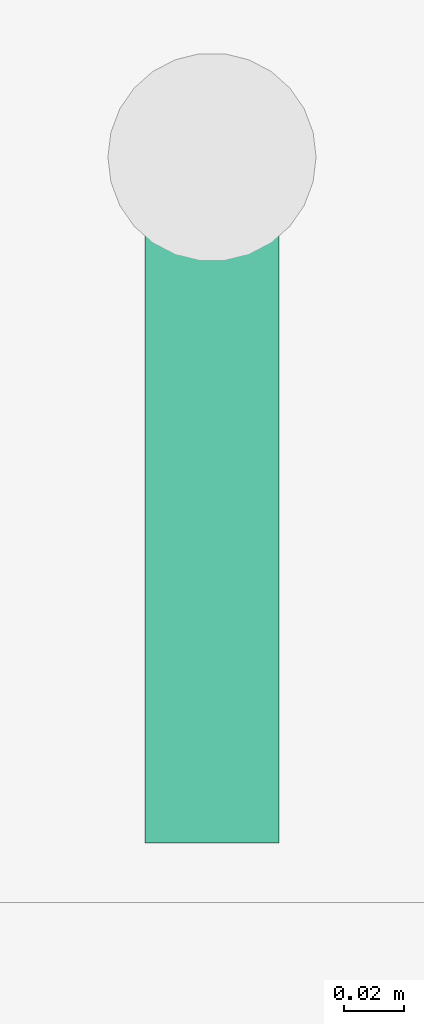
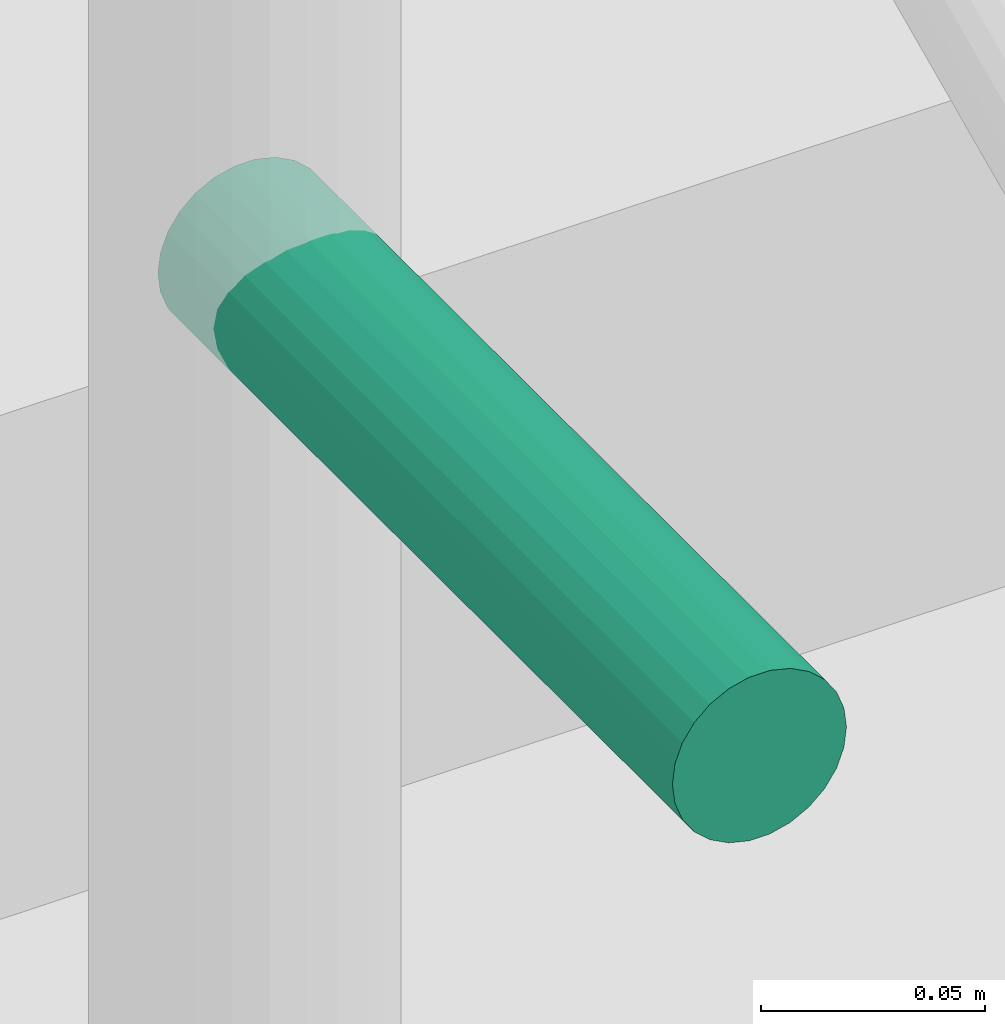
# One storey, part 30 of 33: 1 pipe fitting.
"""IFC4 building model written with IfcOpenShell, lengths in metres."""

from ifc_helpers import new_model, si_unit, direction, frame, origin, origin_2d, place, context, subcontext, project, spatial, circle, extrude, element, save


model = new_model("IFC4")

# Units and contexts
model_context = context("Model", 3, precision=1e-05, world=origin(), true_north=direction((0.0, 1.0)))
body_context = subcontext(model_context, "Body", "Model", "MODEL_VIEW")
ifc_project = project(units=[si_unit("LENGTHUNIT", "METRE"), si_unit("AREAUNIT", "SQUARE_METRE"), si_unit("VOLUMEUNIT", "CUBIC_METRE"), si_unit("PLANEANGLEUNIT", "RADIAN"), si_unit("MASSUNIT", "GRAM", prefix="KILO")], contexts=[model_context])

# Site, building, storey
site_placement = place(None, origin())
site = spatial("IfcSite", under=ifc_project, at=site_placement, CompositionType="ELEMENT")
building_placement = place(site_placement, origin())
building = spatial("IfcBuilding", under=site, at=building_placement, Name="Nzadi Deep Aquarium and Research Tower", CompositionType="ELEMENT")
storey_placement = place(building_placement, frame((0.0, 0.0, -5.5)))
storey = spatial("IfcBuildingStorey", under=building, at=storey_placement, Name="B1", CompositionType="ELEMENT", Elevation=-5.5)

# Pipe fitting
pipe_fitting_placement = place(storey_placement, frame((55.300048828125, 68.9599609375, 1.10009765625), z_axis=(0.0, -1.0, 0.0), x_axis=(1.0, 0.0, 0.0)))
element("IfcPipeFitting", 1, at=pipe_fitting_placement, inside=storey, Name="Dry riser outlet ST-Z2-E B1", PredefinedType="EXIT", context=body_context, shape_type="SweptSolid", body=[
    extrude(circle(Radius=0.0224609375, at=origin_2d()), origin(), (0.0, 0.0, 1.0), 0.22998046875),
])

save(model, "model.ifc")
